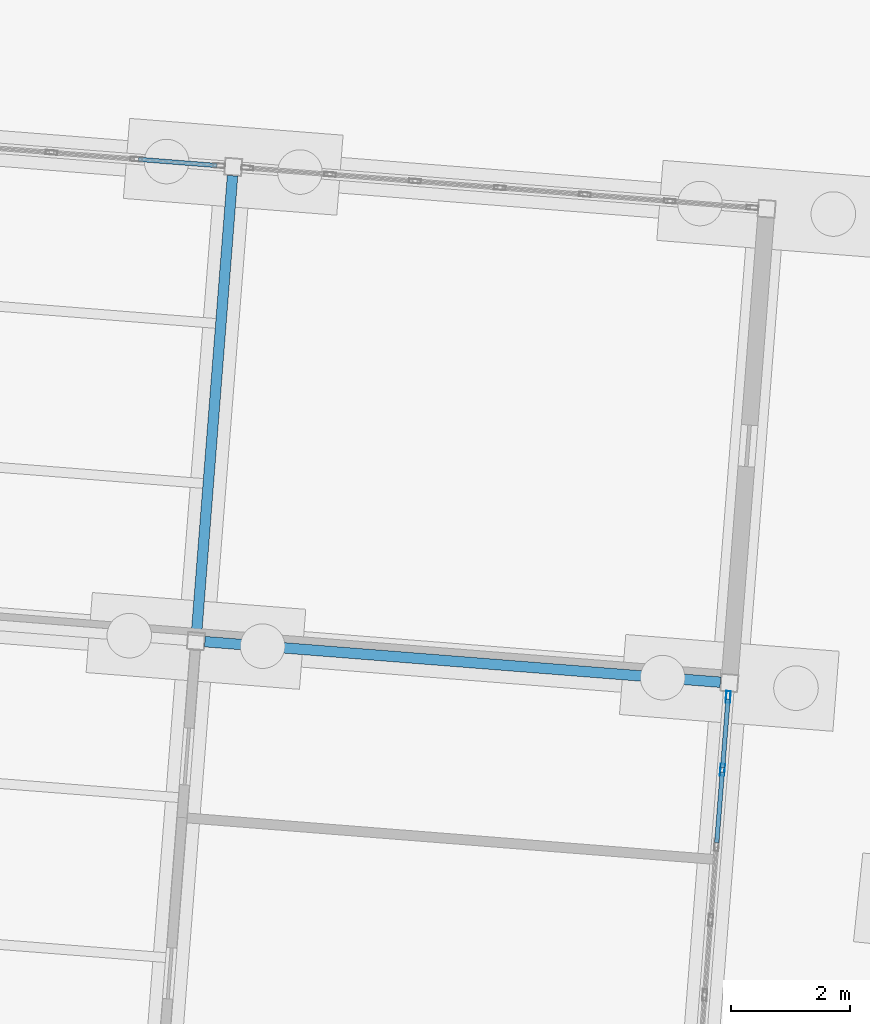
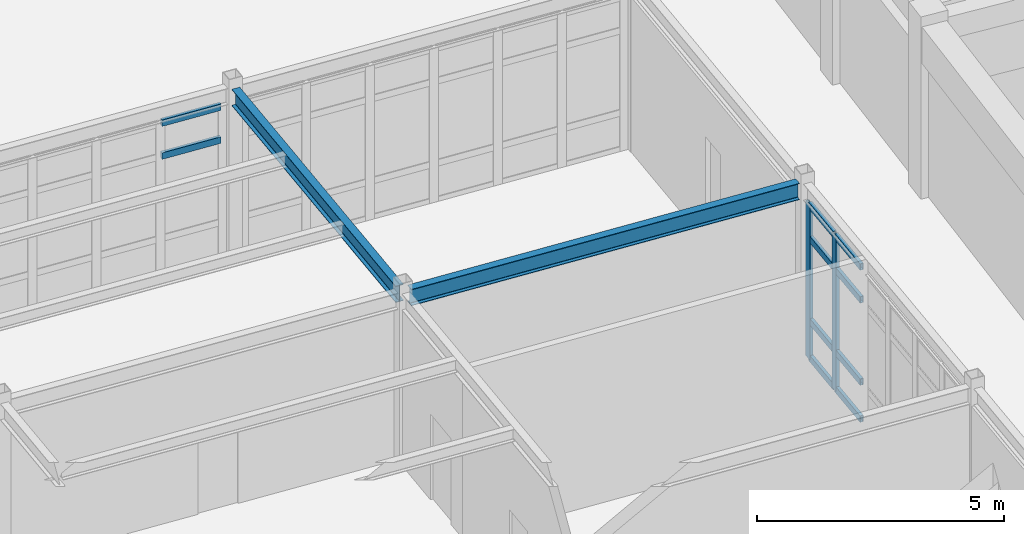
# One storey, part 81 of 154: 12 members, 2 beams, 2 elements without a shape of their own.
"""IFC4 building model written with IfcOpenShell, lengths in metres."""

import ifcopenshell
import ifcopenshell.guid

model = None  # the IFC model being written
_history = None  # IfcOwnerHistory: only IFC2X3 demands one
_inside = {}  # id of a spatial element -> (the spatial element, [elements in it])
_under = {}  # id of a project, library or spatial element -> (it, [spatial elements below it])
_declared = {}  # id of a project -> (the project, [libraries it declares])
_typed = {}  # id of a type object -> (the type object, [elements of that type])
_made_of = {}  # id of a material, layer set ... -> (it, [elements and type objects made of it])


def new_model(schema):
    """Start an empty IFC model of exactly this schema.

    Asked for "IFC4X3", IfcOpenShell would pick the latest addendum, in which some entities
    have other attributes; the version numbers below select the first issue.
    IFC2X3 requires an IfcOwnerHistory on every rooted entity: one is made here for all.
    """
    global model, _history
    if schema == "IFC4X3":
        model = ifcopenshell.file(schema_version=(4, 3, 0, 0))
    else:
        model = ifcopenshell.file(schema=schema)
    _inside.clear()
    _under.clear()
    _declared.clear()
    _typed.clear()
    _made_of.clear()
    _history = None
    if model.schema == "IFC2X3":
        org = make("IfcOrganization", Name="unknown")
        user = make(
            "IfcPersonAndOrganization",
            ThePerson=make("IfcPerson", FamilyName="unknown"),
            TheOrganization=org,
        )
        app = make(
            "IfcApplication",
            ApplicationDeveloper=org,
            Version="unknown",
            ApplicationFullName="unknown",
            ApplicationIdentifier="unknown",
        )
        _history = make(
            "IfcOwnerHistory",
            OwningUser=user,
            OwningApplication=app,
            ChangeAction="ADDED",
            CreationDate=0,
        )
    return model


def make(cls, **values):
    """One entity of the class cls with the attributes given. An attribute that is None is left unset."""
    return model.create_entity(
        cls, **{name: value for name, value in values.items() if value is not None}
    )


def rooted(cls, **values):
    """An entity with a GlobalId (a new one), such as an element, a storey or a relation."""
    return make(cls, GlobalId=ifcopenshell.guid.new(), OwnerHistory=_history, **values)


def si_unit(unit_type, name, prefix=None):
    """IfcSIUnit, for example si_unit("LENGTHUNIT", "METRE", prefix="MILLI")."""
    return make("IfcSIUnit", UnitType=unit_type, Prefix=prefix, Name=name)


def assignment(units):
    """IfcUnitAssignment: the units of a project."""
    return None if units is None else make("IfcUnitAssignment", Units=units)


def point(xyz):
    """IfcCartesianPoint."""
    return None if xyz is None else make("IfcCartesianPoint", Coordinates=xyz)


def direction(xyz):
    """IfcDirection."""
    return None if xyz is None else make("IfcDirection", DirectionRatios=xyz)


def frame(location, z_axis=None, x_axis=None):
    """IfcAxis2Placement3D, a coordinate frame: its origin and axes. An axis left out is left unset."""
    return make(
        "IfcAxis2Placement3D",
        Location=point(location),
        Axis=direction(z_axis),
        RefDirection=direction(x_axis),
    )


def frame_2d(location, x_axis=None):
    """IfcAxis2Placement2D, a coordinate frame in the plane: its origin and x axis."""
    return make(
        "IfcAxis2Placement2D", Location=point(location), RefDirection=direction(x_axis)
    )


def origin():
    """The frame at (0, 0, 0) with its axes left unset."""
    return frame((0.0, 0.0, 0.0))


def origin_2d():
    """The frame at (0, 0) in the plane with its x axis left unset."""
    return frame_2d((0.0, 0.0))


def place(relative_to, where):
    """IfcLocalPlacement: puts the frame where relative to a parent placement (None: the world)."""
    return make(
        "IfcLocalPlacement", PlacementRelTo=relative_to, RelativePlacement=where
    )


def context(
    kind, dimensions, precision=None, world=None, true_north=None, identifier=None
):
    """IfcGeometricRepresentationContext, for example the 3D "Model" context."""
    return make(
        "IfcGeometricRepresentationContext",
        ContextIdentifier=identifier,
        ContextType=kind,
        CoordinateSpaceDimension=dimensions,
        Precision=precision,
        WorldCoordinateSystem=world,
        TrueNorth=true_north,
    )


def subcontext(parent, identifier, kind, view, scale=None):
    """IfcGeometricRepresentationSubContext, for example "Body" below "Model"."""
    return make(
        "IfcGeometricRepresentationSubContext",
        ContextIdentifier=identifier,
        ContextType=kind,
        ParentContext=parent,
        TargetScale=scale,
        TargetView=view,
    )


def project(units=None, contexts=None):
    """IfcProject with its units and contexts."""
    return rooted(
        "IfcProject",
        Name="project",
        RepresentationContexts=contexts,
        UnitsInContext=assignment(units),
    )


def spatial(cls, under=None, at=None, **own):
    """A site, building, storey or space (cls), placed at a placement, below another one or the project."""
    s = rooted(cls, ObjectPlacement=at, **own)
    if under is not None:
        _under.setdefault(under.id(), (under, []))[1].append(s)
    return s


def profile(cls, at=None, kind="AREA", **sizes):
    """A parametric profile (cls). Its sizes go by their IFC names, for example OverallWidth=200.0."""
    return make(cls, ProfileType=kind, Position=at, **sizes)


def hollow_rectangle(**sizes):
    """IfcRectangleHollowProfileDef."""
    return profile("IfcRectangleHollowProfileDef", **sizes)


def i_section(**sizes):
    """IfcIShapeProfileDef."""
    return profile("IfcIShapeProfileDef", **sizes)


def extrude(swept, where, along, depth):
    """IfcExtrudedAreaSolid: the profile swept, set in the frame where, extruded along a direction by depth."""
    return make(
        "IfcExtrudedAreaSolid",
        SweptArea=swept,
        Position=where,
        ExtrudedDirection=direction(along),
        Depth=depth,
    )


def shape(context_of_items, identifier, shape_type, items):
    """IfcShapeRepresentation: the items that make up one representation, for example the "Body"."""
    return make(
        "IfcShapeRepresentation",
        ContextOfItems=context_of_items,
        RepresentationIdentifier=identifier,
        RepresentationType=shape_type,
        Items=items,
    )


def material(Name=None, Category=None):
    """IfcMaterial."""
    return make("IfcMaterial", Name=Name, Category=Category)


def material_profile(
    of_material, cross_section, Name=None, Category=None, Priority=None
):
    """IfcMaterialProfile: a cross section and its material."""
    return make(
        "IfcMaterialProfile",
        Name=Name,
        Material=of_material,
        Profile=cross_section,
        Priority=Priority,
        Category=Category,
    )


def profile_set(profiles, Name=None, composite=None):
    """IfcMaterialProfileSet."""
    return make(
        "IfcMaterialProfileSet",
        Name=Name,
        MaterialProfiles=profiles,
        CompositeProfile=composite,
    )


def made_of(thing, what):
    """Note that an element or type object is made of a material, layer set ...; save() writes the relation."""
    if what is not None:
        _made_of.setdefault(what.id(), (what, []))[1].append(thing)
    return thing


def type_object(cls, material=None, **own):
    """A type object (cls), such as IfcWallType, which elements share."""
    return made_of(rooted(cls, **own), material)


def element(
    cls,
    number,
    at=None,
    inside=None,
    cuts=None,
    type_object=None,
    material=None,
    context=None,
    identifier="Body",
    shape_type=None,
    held_by="IfcProductDefinitionShape",
    body=None,
    shapes=None,
    **own,
):
    """One element of the class cls, such as IfcWall. Its Tag is "e" and its number.

    at: its placement. inside: the storey or other place that contains it. cuts: it is an
    opening in that element (IfcRelVoidsElement). A single representation is given by context,
    identifier, shape_type and body (its items); several are given by shapes. held_by: the class
    of the entity that holds the representations. save() writes the other relations.
    """
    e = rooted(cls, Tag="e%d" % number, ObjectPlacement=at, **own)
    if body is not None:
        shapes = [shape(context, identifier, shape_type, body)]
    if shapes is not None:
        e.Representation = make(held_by, Representations=shapes)
    if inside is not None:
        _inside.setdefault(inside.id(), (inside, []))[1].append(e)
    if cuts is not None:
        rooted(
            "IfcRelVoidsElement", RelatingBuildingElement=cuts, RelatedOpeningElement=e
        )
    if type_object is not None:
        _typed.setdefault(type_object.id(), (type_object, []))[1].append(e)
    return made_of(e, material)


def aggregate(whole, parts):
    """IfcRelAggregates: a whole, such as a stair, and the parts it consists of."""
    return rooted("IfcRelAggregates", RelatingObject=whole, RelatedObjects=parts)


def save(model, path):
    """Write the relations noted so far, then the file.

    IfcRelAggregates (storeys below a building ...), IfcRelContainedInSpatialStructure (elements
    in a storey), IfcRelDefinesByType, IfcRelAssociatesMaterial and IfcRelDeclares: one each for
    every whole, place, type object, material and project.
    """
    for whole, parts in _under.values():
        aggregate(whole, parts)
    for where, things in _inside.values():
        rooted(
            "IfcRelContainedInSpatialStructure",
            RelatedElements=things,
            RelatingStructure=where,
        )
    for kind, things in _typed.values():
        rooted("IfcRelDefinesByType", RelatedObjects=things, RelatingType=kind)
    for what, things in _made_of.values():
        rooted("IfcRelAssociatesMaterial", RelatedObjects=things, RelatingMaterial=what)
    for by, libraries in _declared.values():
        rooted("IfcRelDeclares", RelatingContext=by, RelatedDefinitions=libraries)
    model.write(path)


model = new_model("IFC4")

# Units and contexts
model_context = context("Model", 3, precision=1e-05, world=origin(), true_north=direction((0.0, 1.0)))
body_context = subcontext(model_context, "Body", "Model", "MODEL_VIEW")
ifc_project = project(units=[si_unit("LENGTHUNIT", "METRE"), si_unit("AREAUNIT", "SQUARE_METRE"), si_unit("VOLUMEUNIT", "CUBIC_METRE"), si_unit("PLANEANGLEUNIT", "RADIAN"), si_unit("MASSUNIT", "GRAM", prefix="KILO")], contexts=[model_context])

# Site, building, storey
site_placement = place(None, origin())
site = spatial("IfcSite", under=ifc_project, at=site_placement, CompositionType="ELEMENT")
building_placement = place(site_placement, origin())
building = spatial("IfcBuilding", under=site, at=building_placement, Name="Kestramere Prow Commons", CompositionType="ELEMENT")
storey_placement = place(building_placement, origin())
storey = spatial("IfcBuildingStorey", under=building, at=storey_placement, Name="L00", CompositionType="ELEMENT", Elevation=0.0)

# Beams
ifc_material_1 = material(Name="Steel S355JR", Category="steel")
ifc_material_profile_1 = material_profile(ifc_material_1, i_section(OverallWidth=0.177978515625, OverallDepth=0.406494140625, WebThickness=0.0078125, FlangeThickness=0.0126953125, FilletRadius=0.01025390625, at=origin_2d()), Name="UB 406x178x60")
ifc_profile_set_1 = profile_set([ifc_material_profile_1], Name="Steel S355JR")
beam_type = type_object("IfcBeamType", Name="BM-NR-01 UB 406x178x60", PredefinedType="BEAM", material=ifc_profile_set_1)
beam_1_placement = place(storey_placement, frame((96.921630859375, 99.320556640625, 4.046875), z_axis=(0.996917066238, -0.078462494502, 0.0), x_axis=(0.078462494502, 0.996917066238, 0.0)))
element("IfcBeam", 1, at=beam_1_placement, inside=storey, type_object=beam_type, Name="Nursery L00 Beam U 3-4", PredefinedType="BEAM", context=body_context, shape_type="SweptSolid", body=[
    extrude(i_section(OverallWidth=0.177978515625, OverallDepth=0.406494140625, WebThickness=0.0078125, FlangeThickness=0.0126953125, FilletRadius=0.01025390625, at=origin_2d()), origin(), (0.0, 0.0, 1.0), 8.699951171875),
])
beam_2_placement = place(storey_placement, frame((96.783935546875, 99.48193359375, 4.046875), z_axis=(0.078442108986, 0.996918670473, 0.0), x_axis=(-0.996918670473, 0.078442108986, 0.0)))
element("IfcBeam", 2, at=beam_2_placement, inside=storey, type_object=beam_type, Name="Nursery L00 Beam V 4-3", PredefinedType="BEAM", context=body_context, shape_type="SweptSolid", body=[
    extrude(i_section(OverallWidth=0.177978515625, OverallDepth=0.406494140625, WebThickness=0.0078125, FlangeThickness=0.0126953125, FilletRadius=0.01025390625, at=origin_2d()), origin(), (0.0, 0.0, 1.0), 7.699951171875),
])

# Curtain wall, members
ifc_material_2 = material(Name="Anodised Aluminium and Low-E Glass", Category="aluminium")
curtain_wall_type_1 = type_object("IfcCurtainWallType", Name="CW-14 Glazed Curtain Wall 7600x3830", PredefinedType="USERDEFINED", material=ifc_material_2)
curtain_wall_1_placement = place(storey_placement, origin())
curtain_wall_1 = element("IfcCurtainWall", 3, at=curtain_wall_1_placement, inside=storey, type_object=curtain_wall_type_1, Name="Nursery L00 E End Glazing", ObjectType="GLAZED CURTAIN WALL", PredefinedType="USERDEFINED")
ifc_material_3 = material(Name="Anodised Aluminium 6063-T6", Category="aluminium")
ifc_material_profile_2 = material_profile(ifc_material_3, hollow_rectangle(XDim=0.074951171875, YDim=0.199951171875, WallThickness=0.0048828125, at=origin_2d()), Name="ALU-MUL 75x200")
ifc_profile_set_2 = profile_set([ifc_material_profile_2], Name="Anodised Aluminium 6063-T6")
member_type_1 = type_object("IfcMemberType", Name="CW-MUL-75x200", PredefinedType="MULLION", material=ifc_profile_set_2)
member_1_placement = place(storey_placement, frame((105.725830078125, 98.389404296875, 0.0), z_axis=(0.0, 0.0, 1.0), x_axis=(0.996917334449, -0.078459086628, 0.0)))
member_1 = element("IfcMember", 4, at=member_1_placement, type_object=member_type_1, Name="CW-14 mullion 1", PredefinedType="MULLION", context=body_context, shape_type="SweptSolid", body=[
    extrude(hollow_rectangle(XDim=0.074951171875, YDim=0.199951171875, WallThickness=0.0048828125, at=origin_2d()), origin(), (0.0, 0.0, 1.0), 3.830078125),
])
member_2_placement = place(storey_placement, frame((105.62939453125, 97.1640625, 0.0), z_axis=(0.0, 0.0, 1.0), x_axis=(0.996917334449, -0.078459086628, 0.0)))
member_2 = element("IfcMember", 5, at=member_2_placement, type_object=member_type_1, Name="CW-14 mullion 2", PredefinedType="MULLION", context=body_context, shape_type="SweptSolid", body=[
    extrude(hollow_rectangle(XDim=0.074951171875, YDim=0.199951171875, WallThickness=0.0048828125, at=origin_2d()), origin(), (0.0, 0.0, 1.0), 3.830078125),
])

curtain_wall_type_2 = type_object("IfcCurtainWallType", Name="CW-13 Glazed Curtain Wall 8600x3830", PredefinedType="USERDEFINED", material=ifc_material_2)
curtain_wall_2_placement = place(storey_placement, origin())
curtain_wall_2 = element("IfcCurtainWall", 6, at=curtain_wall_2_placement, inside=storey, type_object=curtain_wall_type_2, Name="Nursery L00 North Garden Glazing 3", ObjectType="GLAZED CURTAIN WALL", PredefinedType="USERDEFINED")
ifc_material_profile_3 = material_profile(ifc_material_3, hollow_rectangle(XDim=0.074951171875, YDim=0.159912109375, WallThickness=0.0048828125, at=origin_2d()), Name="ALU-TRN 75x160")
ifc_profile_set_3 = profile_set([ifc_material_profile_3], Name="Anodised Aluminium 6063-T6")
member_type_2 = type_object("IfcMemberType", Name="CW-TRN-75x160", PredefinedType="USERDEFINED", material=ifc_profile_set_3)
member_3_placement = place(storey_placement, frame((95.808837890625, 107.432861328125, 2.97998046875), z_axis=(0.996910347642, -0.078547811967, 0.0), x_axis=(0.078547811967, 0.996910347642, 0.0)))
member_3 = element("IfcMember", 7, at=member_3_placement, type_object=member_type_2, Name="CW-13 transom 6.3", ObjectType="TRANSOM", PredefinedType="USERDEFINED", context=body_context, shape_type="SweptSolid", body=[
    extrude(hollow_rectangle(XDim=0.074951171875, YDim=0.159912109375, WallThickness=0.0048828125, at=origin_2d()), origin(), (0.0, 0.0, 1.0), 1.321044921875),
])
member_4_placement = place(storey_placement, frame((95.808837890625, 107.432861328125, 3.79248046875), z_axis=(0.996910347642, -0.078547811967, 0.0), x_axis=(0.078547811967, 0.996910347642, 0.0)))
member_4 = element("IfcMember", 8, at=member_4_placement, type_object=member_type_2, Name="CW-13 transom 6.4", ObjectType="TRANSOM", PredefinedType="USERDEFINED", context=body_context, shape_type="SweptSolid", body=[
    extrude(hollow_rectangle(XDim=0.074951171875, YDim=0.159912109375, WallThickness=0.0048828125, at=origin_2d()), origin(), (0.0, 0.0, 1.0), 1.321044921875),
])
aggregate(curtain_wall_2, [member_3, member_4])

# Member
member_5_placement = place(storey_placement, frame((105.722900390625, 98.35205078125, 0.03759765625), z_axis=(-0.078475672976, -0.996916028937, 0.0), x_axis=(0.996916028937, -0.078475672976, 0.0)))
member_5 = element("IfcMember", 9, at=member_5_placement, type_object=member_type_2, Name="CW-14 transom 1.1", ObjectType="TRANSOM", PredefinedType="USERDEFINED", context=body_context, shape_type="SweptSolid", body=[
    extrude(hollow_rectangle(XDim=0.074951171875, YDim=0.159912109375, WallThickness=0.0048828125, at=origin_2d()), origin(), (0.0, 0.0, 1.0), 1.154296875),
])

member_6_placement = place(storey_placement, frame((105.722900390625, 98.35205078125, 0.949951171875), z_axis=(-0.078475672976, -0.996916028937, 0.0), x_axis=(0.996916028937, -0.078475672976, 0.0)))
member_6 = element("IfcMember", 10, at=member_6_placement, type_object=member_type_2, Name="CW-14 transom 1.2", ObjectType="TRANSOM", PredefinedType="USERDEFINED", context=body_context, shape_type="SweptSolid", body=[
    extrude(hollow_rectangle(XDim=0.074951171875, YDim=0.159912109375, WallThickness=0.0048828125, at=origin_2d()), origin(), (0.0, 0.0, 1.0), 1.154296875),
])

member_7_placement = place(storey_placement, frame((105.722900390625, 98.35205078125, 2.97998046875), z_axis=(-0.078475672976, -0.996916028937, 0.0), x_axis=(0.996916028937, -0.078475672976, 0.0)))
member_7 = element("IfcMember", 11, at=member_7_placement, type_object=member_type_2, Name="CW-14 transom 1.3", ObjectType="TRANSOM", PredefinedType="USERDEFINED", context=body_context, shape_type="SweptSolid", body=[
    extrude(hollow_rectangle(XDim=0.074951171875, YDim=0.159912109375, WallThickness=0.0048828125, at=origin_2d()), origin(), (0.0, 0.0, 1.0), 1.154296875),
])

member_8_placement = place(storey_placement, frame((105.722900390625, 98.35205078125, 3.79248046875), z_axis=(-0.078475672976, -0.996916028937, 0.0), x_axis=(0.996916028937, -0.078475672976, 0.0)))
member_8 = element("IfcMember", 12, at=member_8_placement, type_object=member_type_2, Name="CW-14 transom 1.4", ObjectType="TRANSOM", PredefinedType="USERDEFINED", context=body_context, shape_type="SweptSolid", body=[
    extrude(hollow_rectangle(XDim=0.074951171875, YDim=0.159912109375, WallThickness=0.0048828125, at=origin_2d()), origin(), (0.0, 0.0, 1.0), 1.154296875),
])

member_9_placement = place(storey_placement, frame((105.62646484375, 97.126708984375, 0.03759765625), z_axis=(-0.078466730104, -0.996916732865, 0.0), x_axis=(0.996916732865, -0.078466730104, 0.0)))
member_9 = element("IfcMember", 13, at=member_9_placement, type_object=member_type_2, Name="CW-14 transom 2.1", ObjectType="TRANSOM", PredefinedType="USERDEFINED", context=body_context, shape_type="SweptSolid", body=[
    extrude(hollow_rectangle(XDim=0.074951171875, YDim=0.159912109375, WallThickness=0.0048828125, at=origin_2d()), origin(), (0.0, 0.0, 1.0), 1.191650390625),
])

member_10_placement = place(storey_placement, frame((105.62646484375, 97.126708984375, 0.949951171875), z_axis=(-0.078466730104, -0.996916732865, 0.0), x_axis=(0.996916732865, -0.078466730104, 0.0)))
member_10 = element("IfcMember", 14, at=member_10_placement, type_object=member_type_2, Name="CW-14 transom 2.2", ObjectType="TRANSOM", PredefinedType="USERDEFINED", context=body_context, shape_type="SweptSolid", body=[
    extrude(hollow_rectangle(XDim=0.074951171875, YDim=0.159912109375, WallThickness=0.0048828125, at=origin_2d()), origin(), (0.0, 0.0, 1.0), 1.191650390625),
])

member_11_placement = place(storey_placement, frame((105.62646484375, 97.126708984375, 2.97998046875), z_axis=(-0.078466730104, -0.996916732865, 0.0), x_axis=(0.996916732865, -0.078466730104, 0.0)))
member_11 = element("IfcMember", 15, at=member_11_placement, type_object=member_type_2, Name="CW-14 transom 2.3", ObjectType="TRANSOM", PredefinedType="USERDEFINED", context=body_context, shape_type="SweptSolid", body=[
    extrude(hollow_rectangle(XDim=0.074951171875, YDim=0.159912109375, WallThickness=0.0048828125, at=origin_2d()), origin(), (0.0, 0.0, 1.0), 1.191650390625),
])

member_12_placement = place(storey_placement, frame((105.62646484375, 97.126708984375, 3.79248046875), z_axis=(-0.078466730104, -0.996916732865, 0.0), x_axis=(0.996916732865, -0.078466730104, 0.0)))
member_12 = element("IfcMember", 16, at=member_12_placement, type_object=member_type_2, Name="CW-14 transom 2.4", ObjectType="TRANSOM", PredefinedType="USERDEFINED", context=body_context, shape_type="SweptSolid", body=[
    extrude(hollow_rectangle(XDim=0.074951171875, YDim=0.159912109375, WallThickness=0.0048828125, at=origin_2d()), origin(), (0.0, 0.0, 1.0), 1.191650390625),
])

aggregate(curtain_wall_1, [member_1, member_2, member_5, member_6, member_7, member_8, member_9, member_10, member_11, member_12])

save(model, "model.ifc")
